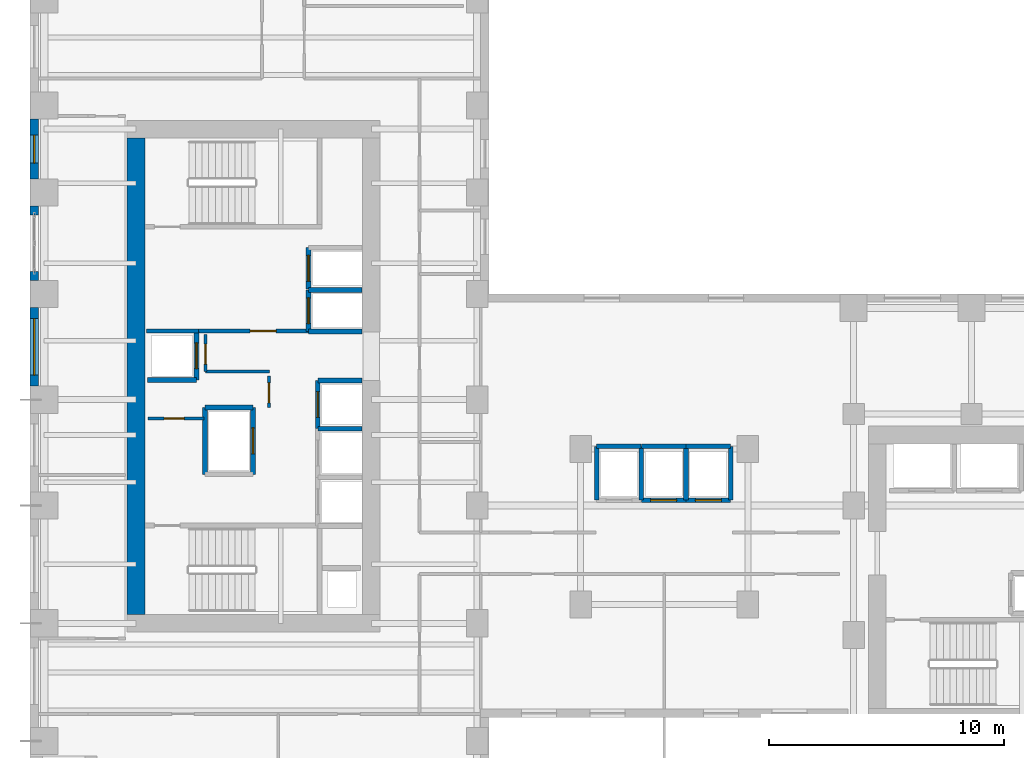
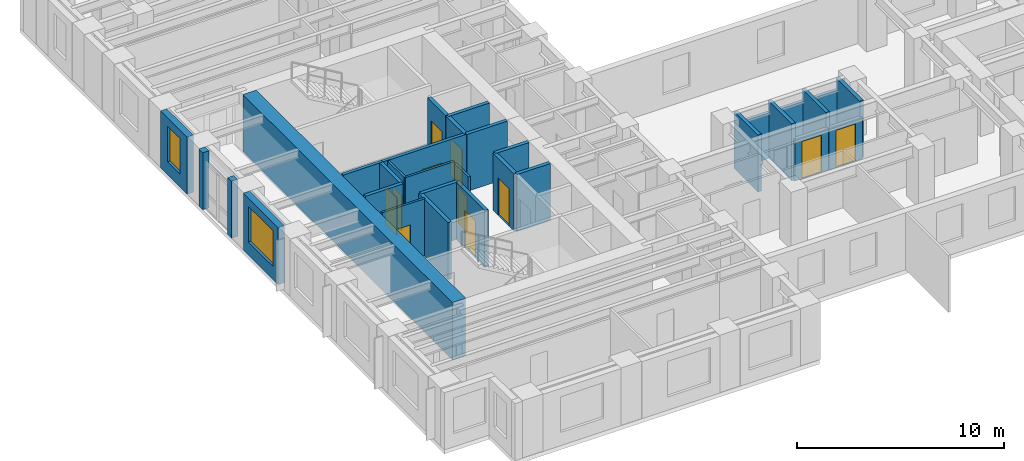
# One storey, part 6 of 13: 32 walls, 11 doors, 2 windows, 13 openings.
"""IFC4 building model written with IfcOpenShell, lengths in metres."""

from ifc_helpers import new_model, si_unit, direction, frame, frame_2d, origin, place, context, subcontext, project, spatial, rectangle, extrude, source, transform, mapped, material, layer, layer_set, type_object, element, fill, save


model = new_model("IFC4")

# Units and contexts
model_context = context("Model", 3, precision=1e-05, world=origin(), true_north=direction((0.0, 1.0)))
body_context = subcontext(model_context, "Body", "Model", "MODEL_VIEW")
ifc_project = project(units=[si_unit("LENGTHUNIT", "METRE"), si_unit("AREAUNIT", "SQUARE_METRE"), si_unit("VOLUMEUNIT", "CUBIC_METRE"), si_unit("PLANEANGLEUNIT", "RADIAN"), si_unit("MASSUNIT", "GRAM", prefix="KILO")], contexts=[model_context])

# Site, building, storey
site_placement = place(None, origin())
site = spatial("IfcSite", under=ifc_project, at=site_placement, CompositionType="ELEMENT")
building_placement = place(site_placement, origin())
building = spatial("IfcBuilding", under=site, at=building_placement, Name="Kharzan Plaza Tower", CompositionType="ELEMENT")
storey_placement = place(building_placement, frame((0.0, 0.0, 77.39990234375)))
storey = spatial("IfcBuildingStorey", under=building, at=storey_placement, Name="L20", CompositionType="ELEMENT", Elevation=77.39990234375)

# Wall, opening, window
ifc_material_1 = material(Name="Concrete C40/50", Category="concrete")
ifc_layer_1 = layer(ifc_material_1, 0.35009765625)
ifc_layer_set_1 = layer_set([ifc_layer_1], Name="Concrete C40/50")
wall_type_1 = type_object("IfcWallType", Name="WL-EXT-MAS-Z2", PredefinedType="SOLIDWALL", material=ifc_layer_set_1)
wall_1_placement = place(storey_placement, frame((0.175048828125, 29.927001953125, 0.0), z_axis=(0.0, 0.0, 1.0), x_axis=(0.0, -1.0, 0.0)))
wall_1 = element("IfcWall", 1, at=wall_1_placement, inside=storey, type_object=wall_type_1, Name="L20 Masonry-Frame Exterior Wall 13", PredefinedType="SOLIDWALL", context=body_context, shape_type="SweptSolid", body=[
    extrude(rectangle(XDim=2.553955078125, YDim=0.35009765625, at=frame_2d((1.27685546875, 0.0))), origin(), (0.0, 0.0, 1.0), 3.364990234375),
])
opening_1_placement = place(wall_1_placement, frame((0.677001953125, 0.0, 0.780029296875)))
opening_1 = element("IfcOpeningElement", 2, at=opening_1_placement, cuts=wall_1, Name="Opening W3", PredefinedType="OPENING", context=body_context, shape_type="SweptSolid", body=[
    extrude(rectangle(XDim=1.199951171875, YDim=2.10009765625, at=frame_2d((0.60009765625, 1.050048828125))), frame((0.0, 0.18505859375, 0.0), z_axis=(0.0, -1.0, 0.0), x_axis=(1.0, 0.0, 0.0)), (0.0, 0.0, 1.0), 0.3701171875),
])
ifc_material_2 = material(Name="Low-E Double Glazing", Category="glass")
window_type_1 = type_object("IfcWindowType", Name="WN-REC-1200x2100", PartitioningType="SINGLE_PANEL", PredefinedType="WINDOW", material=ifc_material_2)
shared_shape_1 = source(origin(), body_context, "Body", "SweptSolid", [
    extrude(rectangle(XDim=1.199951171875, YDim=2.10009765625, at=frame_2d((0.60009765625, 1.050048828125))), frame((0.0, 0.030029296875, 0.0), z_axis=(0.0, -1.0, 0.0), x_axis=(1.0, 0.0, 0.0)), (0.0, 0.0, 1.0), 0.06005859375),
])
window_1_placement = place(opening_1_placement, origin())
window_1 = element("IfcWindow", 3, at=window_1_placement, inside=storey, type_object=window_type_1, Name="L20 Recessed Solar-Control Window 13-1", OverallHeight=2.10009765625, OverallWidth=1.199951171875, PartitioningType="SINGLE_PANEL", PredefinedType="WINDOW", context=body_context, shape_type="MappedRepresentation", body=[
    mapped(shared_shape_1, transform((0.0, 0.0, 0.0), x_axis=(1.0, 0.0, 0.0), y_axis=(0.0, 1.0, 0.0), z_axis=(0.0, 0.0, 1.0))),
])
fill(opening_1, window_1)

wall_2_placement = place(storey_placement, frame((0.175048828125, 21.927001953125, 0.0), z_axis=(0.0, 0.0, 1.0), x_axis=(0.0, -1.0, 0.0)))
wall_2 = element("IfcWall", 4, at=wall_2_placement, inside=storey, type_object=wall_type_1, Name="L20 Masonry-Frame Exterior Wall 16", PredefinedType="SOLIDWALL", context=body_context, shape_type="SweptSolid", body=[
    extrude(rectangle(XDim=3.35400390625, YDim=0.35009765625, at=frame_2d((1.677001953125, 0.0))), origin(), (0.0, 0.0, 1.0), 3.364990234375),
])
opening_2_placement = place(wall_2_placement, frame((0.47705078125, 0.0, 0.780029296875)))
opening_2 = element("IfcOpeningElement", 5, at=opening_2_placement, cuts=wall_2, Name="Opening W2", PredefinedType="OPENING", context=body_context, shape_type="SweptSolid", body=[
    extrude(rectangle(XDim=2.39990234375, YDim=2.10009765625, at=frame_2d((1.199951171875, 1.050048828125))), frame((0.0, 0.18505859375, 0.0), z_axis=(0.0, -1.0, 0.0), x_axis=(1.0, 0.0, 0.0)), (0.0, 0.0, 1.0), 0.3701171875),
])
window_type_2 = type_object("IfcWindowType", Name="WN-REC-2400x2100", PartitioningType="SINGLE_PANEL", PredefinedType="WINDOW", material=ifc_material_2)
shared_shape_2 = source(origin(), body_context, "Body", "SweptSolid", [
    extrude(rectangle(XDim=2.39990234375, YDim=2.10009765625, at=frame_2d((1.199951171875, 1.050048828125))), frame((0.0, 0.030029296875, 0.0), z_axis=(0.0, -1.0, 0.0), x_axis=(1.0, 0.0, 0.0)), (0.0, 0.0, 1.0), 0.06005859375),
])
window_2_placement = place(opening_2_placement, origin())
window_2 = element("IfcWindow", 6, at=window_2_placement, inside=storey, type_object=window_type_2, Name="L20 Wide Recessed Solar-Control Window 16-1", OverallHeight=2.10009765625, OverallWidth=2.39990234375, PartitioningType="SINGLE_PANEL", PredefinedType="WINDOW", context=body_context, shape_type="MappedRepresentation", body=[
    mapped(shared_shape_2, transform((0.0, 0.0, 0.0), x_axis=(1.0, 0.0, 0.0), y_axis=(0.0, 1.0, 0.0), z_axis=(0.0, 0.0, 1.0))),
])
fill(opening_2, window_2)

# Wall, opening, door
ifc_layer_2 = layer(ifc_material_1, 0.179931640625)
ifc_layer_set_2 = layer_set([ifc_layer_2], Name="Concrete C40/50")
wall_type_2 = type_object("IfcWallType", Name="WL-INT-FIRE-180", PredefinedType="PARTITIONING", material=ifc_layer_set_2)
wall_3_placement = place(storey_placement, frame((7.14990234375, 20.919921875, 0.0), z_axis=(0.0, 0.0, 1.0), x_axis=(1.0, 0.0, 0.0)))
wall_3 = element("IfcWall", 7, at=wall_3_placement, inside=storey, type_object=wall_type_2, Name="L20 Interior Partition CA-FF-S", PredefinedType="PARTITIONING", context=body_context, shape_type="SweptSolid", body=[
    extrude(rectangle(XDim=4.68017578125, YDim=0.179931640625, at=frame_2d((2.340087890625, 0.0))), origin(), (0.0, 0.0, 1.0), 3.364990234375),
])
opening_3_placement = place(wall_3_placement, frame((2.199951171875, 0.0, 0.0)))
opening_3 = element("IfcOpeningElement", 8, at=opening_3_placement, cuts=wall_3, Name="Opening FD1", PredefinedType="OPENING", context=body_context, shape_type="SweptSolid", body=[
    extrude(rectangle(XDim=1.10009765625, YDim=2.14990234375, at=frame_2d((0.550048828125, 1.074951171875))), frame((0.0, 0.099853515625, 0.0), z_axis=(0.0, -1.0, 0.0), x_axis=(1.0, 0.0, 0.0)), (0.0, 0.0, 1.0), 0.199951171875),
])
ifc_material_3 = material(Name="Fire-Rated Acoustic Vision-Panel Steel", Category="steel")
door_type_1 = type_object("IfcDoorType", Name="DR-FIRE-LOBBY", OperationType="NOTDEFINED", PredefinedType="DOOR", material=ifc_material_3)
shared_shape_3 = source(origin(), body_context, "Body", "SweptSolid", [
    extrude(rectangle(XDim=1.10009765625, YDim=2.14990234375, at=frame_2d((0.550048828125, 1.074951171875))), frame((0.0, 0.02490234375, 0.0), z_axis=(0.0, -1.0, 0.0), x_axis=(1.0, 0.0, 0.0)), (0.0, 0.0, 1.0), 0.050048828125),
])
door_1_placement = place(opening_3_placement, origin())
door_1 = element("IfcDoor", 9, at=door_1_placement, inside=storey, type_object=door_type_1, Name="L20 Firefighting Lobby Door", OperationType="SINGLE_SWING_RIGHT", OverallHeight=2.14990234375, OverallWidth=1.10009765625, PredefinedType="DOOR", context=body_context, shape_type="MappedRepresentation", body=[
    mapped(shared_shape_3, transform((0.0, 0.0, 0.0), x_axis=(1.0, 0.0, 0.0), y_axis=(0.0, 1.0, 0.0), z_axis=(0.0, 0.0, 1.0))),
])
fill(opening_3, door_1)

ifc_material_4 = material(Name="Fire-Rated Gypsum Board Partition", Category="gypsum")
ifc_layer_3 = layer(ifc_material_4, 0.125)
ifc_layer_set_3 = layer_set([ifc_layer_3], Name="Fire-Rated Gypsum Board Partition")
wall_type_3 = type_object("IfcWallType", Name="WL-INT-PART-125", PredefinedType="PARTITIONING", material=ifc_layer_set_3)
wall_4_placement = place(storey_placement, frame((10.14990234375, 17.679931640625, 0.0), z_axis=(0.0, 0.0, 1.0), x_axis=(0.0, 1.0, 0.0)))
wall_4 = element("IfcWall", 10, at=wall_4_placement, inside=storey, type_object=wall_type_3, Name="L20 Interior Partition CA-K2A", PredefinedType="PARTITIONING", context=body_context, shape_type="SweptSolid", body=[
    extrude(rectangle(XDim=1.320068359375, YDim=0.125, at=frame_2d((0.66015625, 0.0))), origin(), (0.0, 0.0, 1.0), 3.364990234375),
])
opening_4_placement = place(wall_4_placement, frame((0.18505859375, 0.0, 0.0)))
opening_4 = element("IfcOpeningElement", 11, at=opening_4_placement, cuts=wall_4, Name="Opening RD1", PredefinedType="OPENING", context=body_context, shape_type="SweptSolid", body=[
    extrude(rectangle(XDim=0.85009765625, YDim=2.10009765625, at=frame_2d((0.425048828125, 1.050048828125))), frame((0.0, 0.072509765625, 0.0), z_axis=(0.0, -1.0, 0.0), x_axis=(1.0, 0.0, 0.0)), (0.0, 0.0, 1.0), 0.14501953125),
])
ifc_material_5 = material(Name="Powder-Coated Fire-Rated Steel", Category="steel")
door_type_2 = type_object("IfcDoorType", Name="DR-RISER-900", OperationType="NOTDEFINED", PredefinedType="DOOR", material=ifc_material_5)
shared_shape_4 = source(origin(), body_context, "Body", "SweptSolid", [
    extrude(rectangle(XDim=0.85009765625, YDim=2.10009765625, at=frame_2d((0.425048828125, 1.050048828125))), frame((0.0, 0.02490234375, 0.0), z_axis=(0.0, -1.0, 0.0), x_axis=(1.0, 0.0, 0.0)), (0.0, 0.0, 1.0), 0.050048828125),
])
door_2_placement = place(opening_4_placement, origin())
door_2 = element("IfcDoor", 12, at=door_2_placement, inside=storey, type_object=door_type_2, Name="L20 Core Mechanical Store Door", OperationType="SINGLE_SWING_LEFT", OverallHeight=2.10009765625, OverallWidth=0.85009765625, PredefinedType="DOOR", context=body_context, shape_type="MappedRepresentation", body=[
    mapped(shared_shape_4, transform((0.0, 0.0, 0.0), x_axis=(1.0, 0.0, 0.0), y_axis=(0.0, 1.0, 0.0), z_axis=(0.0, 0.0, 1.0))),
])
fill(opening_4, door_2)

wall_5_placement = place(storey_placement, frame((7.449951171875, 19.199951171875, 0.0), z_axis=(0.0, 0.0, 1.0), x_axis=(0.0, 1.0, 0.0)))
wall_5 = element("IfcWall", 13, at=wall_5_placement, inside=storey, type_object=wall_type_3, Name="L20 Interior Partition CA-K2B", PredefinedType="PARTITIONING", context=body_context, shape_type="SweptSolid", body=[
    extrude(rectangle(XDim=1.580078125, YDim=0.125, at=frame_2d((0.7900390625, 0.0))), origin(), (0.0, 0.0, 1.0), 3.364990234375),
])
opening_5_placement = place(wall_5_placement, frame((0.31494140625, 0.0, 0.0)))
opening_5 = element("IfcOpeningElement", 14, at=opening_5_placement, cuts=wall_5, Name="Opening RD1", PredefinedType="OPENING", context=body_context, shape_type="SweptSolid", body=[
    extrude(rectangle(XDim=0.85009765625, YDim=2.10009765625, at=frame_2d((0.425048828125, 1.050048828125))), frame((0.0, 0.072509765625, 0.0), z_axis=(0.0, -1.0, 0.0), x_axis=(1.0, 0.0, 0.0)), (0.0, 0.0, 1.0), 0.14501953125),
])
door_3_placement = place(opening_5_placement, origin())
door_3 = element("IfcDoor", 15, at=door_3_placement, inside=storey, type_object=door_type_2, Name="L20 Core Plant Store Door", OperationType="SINGLE_SWING_RIGHT", OverallHeight=2.10009765625, OverallWidth=0.85009765625, PredefinedType="DOOR", context=body_context, shape_type="MappedRepresentation", body=[
    mapped(shared_shape_4, transform((0.0, 0.0, 0.0), x_axis=(1.0, 0.0, 0.0), y_axis=(0.0, 1.0, 0.0), z_axis=(0.0, 0.0, 1.0))),
])
fill(opening_5, door_3)

wall_6_placement = place(storey_placement, frame((5.0, 17.199951171875, 0.0), z_axis=(0.0, 0.0, 1.0), x_axis=(1.0, 0.0, 0.0)))
wall_6 = element("IfcWall", 16, at=wall_6_placement, inside=storey, type_object=wall_type_3, Name="L20 Interior Partition CA-K2N0", PredefinedType="PARTITIONING", context=body_context, shape_type="SweptSolid", body=[
    extrude(rectangle(XDim=2.39990234375, YDim=0.125, at=frame_2d((1.199951171875, 0.0))), origin(), (0.0, 0.0, 1.0), 3.364990234375),
])
opening_6_placement = place(wall_6_placement, frame((0.699951171875, 0.0, 0.0)))
opening_6 = element("IfcOpeningElement", 17, at=opening_6_placement, cuts=wall_6, Name="Opening RD1", PredefinedType="OPENING", context=body_context, shape_type="SweptSolid", body=[
    extrude(rectangle(XDim=0.85009765625, YDim=2.10009765625, at=frame_2d((0.425048828125, 1.050048828125))), frame((0.0, 0.072509765625, 0.0), z_axis=(0.0, -1.0, 0.0), x_axis=(1.0, 0.0, 0.0)), (0.0, 0.0, 1.0), 0.14501953125),
])
door_4_placement = place(opening_6_placement, origin())
door_4 = element("IfcDoor", 18, at=door_4_placement, inside=storey, type_object=door_type_2, Name="L20 Core Electrical Store Door", OperationType="SINGLE_SWING_RIGHT", OverallHeight=2.10009765625, OverallWidth=0.85009765625, PredefinedType="DOOR", context=body_context, shape_type="MappedRepresentation", body=[
    mapped(shared_shape_4, transform((0.0, 0.0, 0.0), x_axis=(1.0, 0.0, 0.0), y_axis=(0.0, 1.0, 0.0), z_axis=(0.0, 0.0, 1.0))),
])
fill(opening_6, door_4)

ifc_layer_4 = layer(ifc_material_1, 0.199951171875)
ifc_layer_set_4 = layer_set([ifc_layer_4], Name="Concrete C40/50")
wall_type_4 = type_object("IfcWallType", Name="WL-INT-SHAFT-200", PredefinedType="PARTITIONING", material=ifc_layer_set_4)
wall_7_placement = place(storey_placement, frame((11.830078125, 20.89990234375, 0.0), z_axis=(0.0, 0.0, 1.0), x_axis=(0.0, 1.0, 0.0)))
wall_7 = element("IfcWall", 19, at=wall_7_placement, inside=storey, type_object=wall_type_4, Name="L20 Interior Partition SHF-FFL-1-W", PredefinedType="PARTITIONING", context=body_context, shape_type="SweptSolid", body=[
    extrude(rectangle(XDim=1.760009765625, YDim=0.199951171875, at=frame_2d((0.8798828125, 0.0))), origin(), (0.0, 0.0, 1.0), 3.364990234375),
])
opening_7_placement = place(wall_7_placement, frame((0.330078125, 0.0, 0.0)))
opening_7 = element("IfcOpeningElement", 20, at=opening_7_placement, cuts=wall_7, Name="Opening LD", PredefinedType="OPENING", context=body_context, shape_type="SweptSolid", body=[
    extrude(rectangle(XDim=1.10009765625, YDim=2.199951171875, at=frame_2d((0.550048828125, 1.10009765625))), frame((0.0, 0.10986328125, 0.0), z_axis=(0.0, -1.0, 0.0), x_axis=(1.0, 0.0, 0.0)), (0.0, 0.0, 1.0), 0.219970703125),
])
ifc_material_6 = material(Name="Brushed Stainless Steel", Category="steel")
door_type_3 = type_object("IfcDoorType", Name="DR-LIFT-SLIDE", OperationType="SLIDING_TO_LEFT", PredefinedType="DOOR", material=ifc_material_6)
shared_shape_5 = source(origin(), body_context, "Body", "SweptSolid", [
    extrude(rectangle(XDim=1.10009765625, YDim=2.199951171875, at=frame_2d((0.550048828125, 1.10009765625))), frame((0.0, 0.02490234375, 0.0), z_axis=(0.0, -1.0, 0.0), x_axis=(1.0, 0.0, 0.0)), (0.0, 0.0, 1.0), 0.050048828125),
])
door_5_placement = place(opening_7_placement, origin())
door_5 = element("IfcDoor", 21, at=door_5_placement, inside=storey, type_object=door_type_3, Name="L20 Firefighting Lift FFL-1 Sliding Landing Door", OperationType="SLIDING_TO_LEFT", OverallHeight=2.199951171875, OverallWidth=1.10009765625, PredefinedType="DOOR", context=body_context, shape_type="MappedRepresentation", body=[
    mapped(shared_shape_5, transform((0.0, 0.0, 0.0), x_axis=(1.0, 0.0, 0.0), y_axis=(0.0, 1.0, 0.0), z_axis=(0.0, 0.0, 1.0))),
])
fill(opening_7, door_5)

wall_8_placement = place(storey_placement, frame((11.830078125, 22.699951171875, 0.0), z_axis=(0.0, 0.0, 1.0), x_axis=(0.0, 1.0, 0.0)))
wall_8 = element("IfcWall", 22, at=wall_8_placement, inside=storey, type_object=wall_type_4, Name="L20 Interior Partition SHF-FFL-2-W", PredefinedType="PARTITIONING", context=body_context, shape_type="SweptSolid", body=[
    extrude(rectangle(XDim=1.760009765625, YDim=0.199951171875, at=frame_2d((0.8798828125, 0.0))), origin(), (0.0, 0.0, 1.0), 3.364990234375),
])
opening_8_placement = place(wall_8_placement, frame((0.330078125, 0.0, 0.0)))
opening_8 = element("IfcOpeningElement", 23, at=opening_8_placement, cuts=wall_8, Name="Opening LD", PredefinedType="OPENING", context=body_context, shape_type="SweptSolid", body=[
    extrude(rectangle(XDim=1.10009765625, YDim=2.199951171875, at=frame_2d((0.550048828125, 1.10009765625))), frame((0.0, 0.10986328125, 0.0), z_axis=(0.0, -1.0, 0.0), x_axis=(1.0, 0.0, 0.0)), (0.0, 0.0, 1.0), 0.219970703125),
])
door_6_placement = place(opening_8_placement, origin())
door_6 = element("IfcDoor", 24, at=door_6_placement, inside=storey, type_object=door_type_3, Name="L20 Firefighting Lift FFL-2 Sliding Landing Door", OperationType="SLIDING_TO_LEFT", OverallHeight=2.199951171875, OverallWidth=1.10009765625, PredefinedType="DOOR", context=body_context, shape_type="MappedRepresentation", body=[
    mapped(shared_shape_5, transform((0.0, 0.0, 0.0), x_axis=(1.0, 0.0, 0.0), y_axis=(0.0, 1.0, 0.0), z_axis=(0.0, 0.0, 1.0))),
])
fill(opening_8, door_6)

wall_9_placement = place(storey_placement, frame((12.22998046875, 16.77001953125, 0.0), z_axis=(0.0, 0.0, 1.0), x_axis=(0.0, 1.0, 0.0)))
wall_9 = element("IfcWall", 25, at=wall_9_placement, inside=storey, type_object=wall_type_4, Name="L20 Interior Partition SHF-PL-H3-W", PredefinedType="PARTITIONING", context=body_context, shape_type="SweptSolid", body=[
    extrude(rectangle(XDim=2.050048828125, YDim=0.199951171875, at=frame_2d((1.02490234375, 0.0))), origin(), (0.0, 0.0, 1.0), 3.364990234375),
])
opening_9_placement = place(wall_9_placement, frame((0.47509765625, 0.0, 0.0)))
opening_9 = element("IfcOpeningElement", 26, at=opening_9_placement, cuts=wall_9, Name="Opening LD", PredefinedType="OPENING", context=body_context, shape_type="SweptSolid", body=[
    extrude(rectangle(XDim=1.10009765625, YDim=2.199951171875, at=frame_2d((0.550048828125, 1.10009765625))), frame((0.0, 0.10986328125, 0.0), z_axis=(0.0, -1.0, 0.0), x_axis=(1.0, 0.0, 0.0)), (0.0, 0.0, 1.0), 0.219970703125),
])
door_7_placement = place(opening_9_placement, origin())
door_7 = element("IfcDoor", 27, at=door_7_placement, inside=storey, type_object=door_type_3, Name="L20 High-Rise Passenger Lift PL-H3 Sliding Landing Door", OperationType="SLIDING_TO_LEFT", OverallHeight=2.199951171875, OverallWidth=1.10009765625, PredefinedType="DOOR", context=body_context, shape_type="MappedRepresentation", body=[
    mapped(shared_shape_5, transform((0.0, 0.0, 0.0), x_axis=(1.0, 0.0, 0.0), y_axis=(0.0, 1.0, 0.0), z_axis=(0.0, 0.0, 1.0))),
])
fill(opening_9, door_7)

wall_10_placement = place(storey_placement, frame((7.070068359375, 18.840087890625, 0.0), z_axis=(0.0, 0.0, 1.0), x_axis=(0.0, 1.0, 0.0)))
wall_10 = element("IfcWall", 28, at=wall_10_placement, inside=storey, type_object=wall_type_4, Name="L20 Interior Partition SHF-PL-H4-E", PredefinedType="PARTITIONING", context=body_context, shape_type="SweptSolid", body=[
    extrude(rectangle(XDim=2.059814453125, YDim=0.199951171875, at=frame_2d((1.02978515625, 0.0))), origin(), (0.0, 0.0, 1.0), 3.364990234375),
])
opening_10_placement = place(wall_10_placement, frame((0.47998046875, 0.0, 0.0)))
opening_10 = element("IfcOpeningElement", 29, at=opening_10_placement, cuts=wall_10, Name="Opening LD", PredefinedType="OPENING", context=body_context, shape_type="SweptSolid", body=[
    extrude(rectangle(XDim=1.10009765625, YDim=2.199951171875, at=frame_2d((0.550048828125, 1.10009765625))), frame((0.0, 0.10986328125, 0.0), z_axis=(0.0, -1.0, 0.0), x_axis=(1.0, 0.0, 0.0)), (0.0, 0.0, 1.0), 0.219970703125),
])
door_8_placement = place(opening_10_placement, origin())
door_8 = element("IfcDoor", 30, at=door_8_placement, inside=storey, type_object=door_type_3, Name="L20 High-Rise Passenger Lift PL-H4 Sliding Landing Door", OperationType="SLIDING_TO_LEFT", OverallHeight=2.199951171875, OverallWidth=1.10009765625, PredefinedType="DOOR", context=body_context, shape_type="MappedRepresentation", body=[
    mapped(shared_shape_5, transform((0.0, 0.0, 0.0), x_axis=(1.0, 0.0, 0.0), y_axis=(0.0, 1.0, 0.0), z_axis=(0.0, 0.0, 1.0))),
])
fill(opening_10, door_8)

wall_11_placement = place(storey_placement, frame((25.97998046875, 13.72998046875, 0.0), z_axis=(0.0, 0.0, 1.0), x_axis=(1.0, 0.0, 0.0)))
wall_11 = element("IfcWall", 31, at=wall_11_placement, inside=storey, type_object=wall_type_4, Name="L20 Interior Partition SHF-PL-M2-S", PredefinedType="PARTITIONING", context=body_context, shape_type="SweptSolid", body=[
    extrude(rectangle(XDim=1.89013671875, YDim=0.199951171875, at=frame_2d((0.945068359375, 0.0))), origin(), (0.0, 0.0, 1.0), 2.446044921875),
])
opening_11_placement = place(wall_11_placement, frame((0.39501953125, 0.0, 0.0)))
opening_11 = element("IfcOpeningElement", 32, at=opening_11_placement, cuts=wall_11, Name="Opening LD", PredefinedType="OPENING", context=body_context, shape_type="SweptSolid", body=[
    extrude(rectangle(XDim=1.10009765625, YDim=2.199951171875, at=frame_2d((0.550048828125, 1.10009765625))), frame((0.0, 0.10986328125, 0.0), z_axis=(0.0, -1.0, 0.0), x_axis=(1.0, 0.0, 0.0)), (0.0, 0.0, 1.0), 0.219970703125),
])
door_9_placement = place(opening_11_placement, origin())
door_9 = element("IfcDoor", 33, at=door_9_placement, inside=storey, type_object=door_type_3, Name="L20 Mid-Rise Passenger Lift PL-M2 Sliding Landing Door", OperationType="SLIDING_TO_LEFT", OverallHeight=2.199951171875, OverallWidth=1.10009765625, PredefinedType="DOOR", context=body_context, shape_type="MappedRepresentation", body=[
    mapped(shared_shape_5, transform((0.0, 0.0, 0.0), x_axis=(1.0, 0.0, 0.0), y_axis=(0.0, 1.0, 0.0), z_axis=(0.0, 0.0, 1.0))),
])
fill(opening_11, door_9)

wall_12_placement = place(storey_placement, frame((27.8798828125, 13.72998046875, 0.0), z_axis=(0.0, 0.0, 1.0), x_axis=(1.0, 0.0, 0.0)))
wall_12 = element("IfcWall", 34, at=wall_12_placement, inside=storey, type_object=wall_type_4, Name="L20 Interior Partition SHF-PL-M3-S", PredefinedType="PARTITIONING", context=body_context, shape_type="SweptSolid", body=[
    extrude(rectangle(XDim=1.89013671875, YDim=0.199951171875, at=frame_2d((0.945068359375, 0.0))), origin(), (0.0, 0.0, 1.0), 2.446044921875),
])
opening_12_placement = place(wall_12_placement, frame((0.39501953125, 0.0, 0.0)))
opening_12 = element("IfcOpeningElement", 35, at=opening_12_placement, cuts=wall_12, Name="Opening LD", PredefinedType="OPENING", context=body_context, shape_type="SweptSolid", body=[
    extrude(rectangle(XDim=1.10009765625, YDim=2.199951171875, at=frame_2d((0.550048828125, 1.10009765625))), frame((0.0, 0.10986328125, 0.0), z_axis=(0.0, -1.0, 0.0), x_axis=(1.0, 0.0, 0.0)), (0.0, 0.0, 1.0), 0.219970703125),
])
door_10_placement = place(opening_12_placement, origin())
door_10 = element("IfcDoor", 36, at=door_10_placement, inside=storey, type_object=door_type_3, Name="L20 Mid-Rise Passenger Lift PL-M3 Sliding Landing Door", OperationType="SLIDING_TO_LEFT", OverallHeight=2.199951171875, OverallWidth=1.10009765625, PredefinedType="DOOR", context=body_context, shape_type="MappedRepresentation", body=[
    mapped(shared_shape_5, transform((0.0, 0.0, 0.0), x_axis=(1.0, 0.0, 0.0), y_axis=(0.0, 1.0, 0.0), z_axis=(0.0, 0.0, 1.0))),
])
fill(opening_12, door_10)

wall_13_placement = place(storey_placement, frame((9.469970703125, 14.830078125, 0.0), z_axis=(0.0, 0.0, 1.0), x_axis=(0.0, 1.0, 0.0)))
wall_13 = element("IfcWall", 37, at=wall_13_placement, inside=storey, type_object=wall_type_4, Name="L20 Interior Partition SHF-SVL-1-E", PredefinedType="PARTITIONING", context=body_context, shape_type="SweptSolid", body=[
    extrude(rectangle(XDim=2.83984375, YDim=0.199951171875, at=frame_2d((1.419921875, 0.0))), origin(), (0.0, 0.0, 1.0), 3.364990234375),
])
opening_13_placement = place(wall_13_placement, frame((0.8701171875, 0.0, 0.0)))
opening_13 = element("IfcOpeningElement", 38, at=opening_13_placement, cuts=wall_13, Name="Opening LD", PredefinedType="OPENING", context=body_context, shape_type="SweptSolid", body=[
    extrude(rectangle(XDim=1.10009765625, YDim=2.199951171875, at=frame_2d((0.550048828125, 1.10009765625))), frame((0.0, 0.10986328125, 0.0), z_axis=(0.0, -1.0, 0.0), x_axis=(1.0, 0.0, 0.0)), (0.0, 0.0, 1.0), 0.219970703125),
])
door_11_placement = place(opening_13_placement, origin())
door_11 = element("IfcDoor", 39, at=door_11_placement, inside=storey, type_object=door_type_3, Name="L20 Service Lift SVL-1 Sliding Landing Door", OperationType="SLIDING_TO_LEFT", OverallHeight=2.199951171875, OverallWidth=1.10009765625, PredefinedType="DOOR", context=body_context, shape_type="MappedRepresentation", body=[
    mapped(shared_shape_5, transform((0.0, 0.0, 0.0), x_axis=(1.0, 0.0, 0.0), y_axis=(0.0, 1.0, 0.0), z_axis=(0.0, 0.0, 1.0))),
])
fill(opening_13, door_11)

# Walls
shared_shape_6 = source(origin(), body_context, "Body", "SweptSolid", [
    extrude(rectangle(XDim=2.72998046875, YDim=0.125, at=frame_2d((1.364990234375, 0.0))), origin(), (0.0, 0.0, 1.0), 3.364990234375),
])
wall_14_placement = place(storey_placement, frame((7.449951171875, 19.199951171875, 0.0), z_axis=(0.0, 0.0, 1.0), x_axis=(1.0, 0.0, 0.0)))
element("IfcWall", 40, at=wall_14_placement, inside=storey, type_object=wall_type_3, Name="L20 Interior Partition CA-K2M", PredefinedType="PARTITIONING", context=body_context, shape_type="MappedRepresentation", body=[
    mapped(shared_shape_6, transform((0.0, 0.0, 0.0), x_axis=(1.0, 0.0, 0.0), y_axis=(0.0, 1.0, 0.0), z_axis=(0.0, 0.0, 1.0))),
])
shared_shape_7 = source(origin(), body_context, "Body", "SweptSolid", [
    extrude(rectangle(XDim=2.090087890625, YDim=0.199951171875, at=frame_2d((1.044921875, 0.0))), origin(), (0.0, 0.0, 1.0), 3.364990234375),
])
wall_15_placement = place(storey_placement, frame((4.97998046875, 18.840087890625, 0.0), z_axis=(0.0, 0.0, 1.0), x_axis=(1.0, 0.0, 0.0)))
element("IfcWall", 41, at=wall_15_placement, inside=storey, type_object=wall_type_4, Name="L20 Interior Partition SHF-PL-H4-S", PredefinedType="PARTITIONING", context=body_context, shape_type="MappedRepresentation", body=[
    mapped(shared_shape_7, transform((0.0, 0.0, 0.0), x_axis=(1.0, 0.0, 0.0), y_axis=(0.0, 1.0, 0.0), z_axis=(0.0, 0.0, 1.0))),
])
shared_shape_8 = source(origin(), body_context, "Body", "SweptSolid", [
    extrude(rectangle(XDim=2.2900390625, YDim=0.199951171875, at=frame_2d((1.14501953125, 0.0))), origin(), (0.0, 0.0, 1.0), 3.364990234375),
])
for number, where, z_axis, x_axis, name in (
    (42, (25.969970703125, 13.72998046875, 0.0), (0.0, 0.0, 1.0), (0.0, 1.0, 0.0), "L20 Interior Partition SHF-PL-M1-E"),
    (43, (24.080078125, 13.72998046875, 0.0), (0.0, 0.0, 1.0), (0.0, 1.0, 0.0), "L20 Interior Partition SHF-PL-M1-W"),
    (44, (27.8701171875, 13.72998046875, 0.0), (0.0, 0.0, 1.0), (0.0, 1.0, 0.0), "L20 Interior Partition SHF-PL-M2-E"),
    (45, (29.77001953125, 13.72998046875, 0.0), (0.0, 0.0, 1.0), (0.0, 1.0, 0.0), "L20 Interior Partition SHF-PL-M3-E"),
):
    element("IfcWall", number, at=place(storey_placement, frame(where, z_axis=z_axis, x_axis=x_axis)), inside=storey, type_object=wall_type_4, Name=name, PredefinedType="PARTITIONING", context=body_context, shape_type="MappedRepresentation", body=[
        mapped(shared_shape_8, transform((0.0, 0.0, 0.0), x_axis=(1.0, 0.0, 0.0), y_axis=(0.0, 1.0, 0.0), z_axis=(0.0, 0.0, 1.0))),
    ])
shared_shape_9 = source(origin(), body_context, "Body", "SweptSolid", [
    extrude(rectangle(XDim=2.0400390625, YDim=0.199951171875, at=frame_2d((1.02001953125, 0.0))), origin(), (0.0, 0.0, 1.0), 3.364990234375),
])
wall_16_placement = place(storey_placement, frame((7.429931640625, 17.669921875, 0.0), z_axis=(0.0, 0.0, 1.0), x_axis=(1.0, 0.0, 0.0)))
element("IfcWall", 46, at=wall_16_placement, inside=storey, type_object=wall_type_4, Name="L20 Interior Partition SHF-SVL-1-N", PredefinedType="PARTITIONING", context=body_context, shape_type="MappedRepresentation", body=[
    mapped(shared_shape_9, transform((0.0, 0.0, 0.0), x_axis=(1.0, 0.0, 0.0), y_axis=(0.0, 1.0, 0.0), z_axis=(0.0, 0.0, 1.0))),
])
shared_shape_10 = source(origin(), body_context, "Body", "SweptSolid", [
    extrude(rectangle(XDim=2.83984375, YDim=0.199951171875, at=frame_2d((1.419921875, 0.0))), origin(), (0.0, 0.0, 1.0), 3.364990234375),
])
wall_17_placement = place(storey_placement, frame((7.429931640625, 14.830078125, 0.0), z_axis=(0.0, 0.0, 1.0), x_axis=(0.0, 1.0, 0.0)))
element("IfcWall", 47, at=wall_17_placement, inside=storey, type_object=wall_type_4, Name="L20 Interior Partition SHF-SVL-1-W", PredefinedType="PARTITIONING", context=body_context, shape_type="MappedRepresentation", body=[
    mapped(shared_shape_10, transform((0.0, 0.0, 0.0), x_axis=(1.0, 0.0, 0.0), y_axis=(0.0, 1.0, 0.0), z_axis=(0.0, 0.0, 1.0))),
])
ifc_material_7 = material(Name="Concrete C60/75", Category="concrete")
ifc_layer_5 = layer(ifc_material_7, 0.75)
ifc_layer_set_5 = layer_set([ifc_layer_5], Name="Concrete C60/75")
wall_type_5 = type_object("IfcWallType", Name="WL-CORE-750", PredefinedType="SHEAR", material=ifc_layer_set_5)
shared_shape_11 = source(origin(), body_context, "Body", "SweptSolid", [
    extrude(rectangle(XDim=20.25, YDim=0.75, at=frame_2d((10.125, 0.0))), origin(), (0.0, 0.0, 1.0), 3.380126953125),
])
wall_18_placement = place(storey_placement, frame((4.5, 8.875, 0.0), z_axis=(0.0, 0.0, 1.0), x_axis=(0.0, 1.0, 0.0)))
element("IfcWall", 48, at=wall_18_placement, inside=storey, type_object=wall_type_5, Name="L20 CORE-A west RC shear wall", PredefinedType="SHEAR", context=body_context, shape_type="MappedRepresentation", body=[
    mapped(shared_shape_11, transform((0.0, 0.0, 0.0), x_axis=(1.0, 0.0, 0.0), y_axis=(0.0, 1.0, 0.0), z_axis=(0.0, 0.0, 1.0))),
])
shared_shape_12 = source(origin(), body_context, "Body", "SweptSolid", [
    extrude(rectangle(XDim=0.376953125, YDim=0.35009765625, at=frame_2d((0.1884765625, 0.0))), origin(), (0.0, 0.0, 1.0), 3.364990234375),
])
for number, where, z_axis, x_axis, name in (
    (49, (0.175048828125, 26.22705078125, 0.0), (0.0, 0.0, 1.0), (0.0, -1.0, 0.0), "L20 Masonry-Frame Exterior Wall 14"),
    (50, (0.175048828125, 23.449951171875, 0.0), (0.0, 0.0, 1.0), (0.0, -1.0, 0.0), "L20 Masonry-Frame Exterior Wall 15"),
):
    element("IfcWall", number, at=place(storey_placement, frame(where, z_axis=z_axis, x_axis=x_axis)), inside=storey, type_object=wall_type_1, Name=name, PredefinedType="SOLIDWALL", context=body_context, shape_type="MappedRepresentation", body=[
        mapped(shared_shape_12, transform((0.0, 0.0, 0.0), x_axis=(1.0, 0.0, 0.0), y_axis=(0.0, 1.0, 0.0), z_axis=(0.0, 0.0, 1.0))),
    ])
shared_shape_13 = source(origin(), body_context, "Body", "SweptSolid", [
    extrude(rectangle(XDim=2.199951171875, YDim=0.179931640625, at=frame_2d((1.10009765625, 0.0))), origin(), (0.0, 0.0, 1.0), 3.364990234375),
])
wall_19_placement = place(storey_placement, frame((4.949951171875, 20.919921875, 0.0), z_axis=(0.0, 0.0, 1.0), x_axis=(1.0, 0.0, 0.0)))
element("IfcWall", 51, at=wall_19_placement, inside=storey, type_object=wall_type_2, Name="L20 Interior Partition CA-FF-SW", PredefinedType="PARTITIONING", context=body_context, shape_type="MappedRepresentation", body=[
    mapped(shared_shape_13, transform((0.0, 0.0, 0.0), x_axis=(1.0, 0.0, 0.0), y_axis=(0.0, 1.0, 0.0), z_axis=(0.0, 0.0, 1.0))),
])
shared_shape_14 = source(origin(), body_context, "Body", "SweptSolid", [
    extrude(rectangle(XDim=2.264892578125, YDim=0.199951171875, at=frame_2d((1.13232421875, 0.0))), origin(), (0.0, 0.0, 1.0), 3.364990234375),
])
for number, where, z_axis, x_axis, name in (
    (52, (11.830078125, 22.659912109375, 0.0), (0.0, 0.0, 1.0), (1.0, 0.0, 0.0), "L20 Interior Partition SHF-FFL-1-N"),
    (53, (11.830078125, 20.89990234375, 0.0), (0.0, 0.0, 1.0), (1.0, 0.0, 0.0), "L20 Interior Partition SHF-FFL-1-S"),
):
    element("IfcWall", number, at=place(storey_placement, frame(where, z_axis=z_axis, x_axis=x_axis)), inside=storey, type_object=wall_type_4, Name=name, PredefinedType="PARTITIONING", context=body_context, shape_type="MappedRepresentation", body=[
        mapped(shared_shape_14, transform((0.0, 0.0, 0.0), x_axis=(1.0, 0.0, 0.0), y_axis=(0.0, 1.0, 0.0), z_axis=(0.0, 0.0, 1.0))),
    ])
shared_shape_15 = source(origin(), body_context, "Body", "SweptSolid", [
    extrude(rectangle(XDim=1.864990234375, YDim=0.199951171875, at=frame_2d((0.9326171875, 0.0))), origin(), (0.0, 0.0, 1.0), 3.364990234375),
])
for number, where, z_axis, x_axis, name in (
    (54, (12.22998046875, 16.77001953125, 0.0), (0.0, 0.0, 1.0), (1.0, 0.0, 0.0), "L20 Interior Partition SHF-PL-H2-N"),
    (55, (12.22998046875, 18.820068359375, 0.0), (0.0, 0.0, 1.0), (1.0, 0.0, 0.0), "L20 Interior Partition SHF-PL-H3-N"),
):
    element("IfcWall", number, at=place(storey_placement, frame(where, z_axis=z_axis, x_axis=x_axis)), inside=storey, type_object=wall_type_4, Name=name, PredefinedType="PARTITIONING", context=body_context, shape_type="MappedRepresentation", body=[
        mapped(shared_shape_15, transform((0.0, 0.0, 0.0), x_axis=(1.0, 0.0, 0.0), y_axis=(0.0, 1.0, 0.0), z_axis=(0.0, 0.0, 1.0))),
    ])
shared_shape_16 = source(origin(), body_context, "Body", "SweptSolid", [
    extrude(rectangle(XDim=1.889892578125, YDim=0.199951171875, at=frame_2d((0.94482421875, 0.0))), origin(), (0.0, 0.0, 1.0), 2.677001953125),
])
wall_20_placement = place(storey_placement, frame((24.080078125, 16.02001953125, 0.0), z_axis=(0.0, 0.0, 1.0), x_axis=(1.0, 0.0, 0.0)))
element("IfcWall", 56, at=wall_20_placement, inside=storey, type_object=wall_type_4, Name="L20 Interior Partition SHF-PL-M1-N", PredefinedType="PARTITIONING", context=body_context, shape_type="MappedRepresentation", body=[
    mapped(shared_shape_16, transform((0.0, 0.0, 0.0), x_axis=(1.0, 0.0, 0.0), y_axis=(0.0, 1.0, 0.0), z_axis=(0.0, 0.0, 1.0))),
])
shared_shape_17 = source(origin(), body_context, "Body", "SweptSolid", [
    extrude(rectangle(XDim=1.89013671875, YDim=0.199951171875, at=frame_2d((0.945068359375, 0.0))), origin(), (0.0, 0.0, 1.0), 2.677001953125),
])
for number, where, z_axis, x_axis, name in (
    (57, (25.97998046875, 16.02001953125, 0.0), (0.0, 0.0, 1.0), (1.0, 0.0, 0.0), "L20 Interior Partition SHF-PL-M2-N"),
    (58, (27.8798828125, 16.02001953125, 0.0), (0.0, 0.0, 1.0), (1.0, 0.0, 0.0), "L20 Interior Partition SHF-PL-M3-N"),
):
    element("IfcWall", number, at=place(storey_placement, frame(where, z_axis=z_axis, x_axis=x_axis)), inside=storey, type_object=wall_type_4, Name=name, PredefinedType="PARTITIONING", context=body_context, shape_type="MappedRepresentation", body=[
        mapped(shared_shape_17, transform((0.0, 0.0, 0.0), x_axis=(1.0, 0.0, 0.0), y_axis=(0.0, 1.0, 0.0), z_axis=(0.0, 0.0, 1.0))),
    ])

save(model, "model.ifc")
